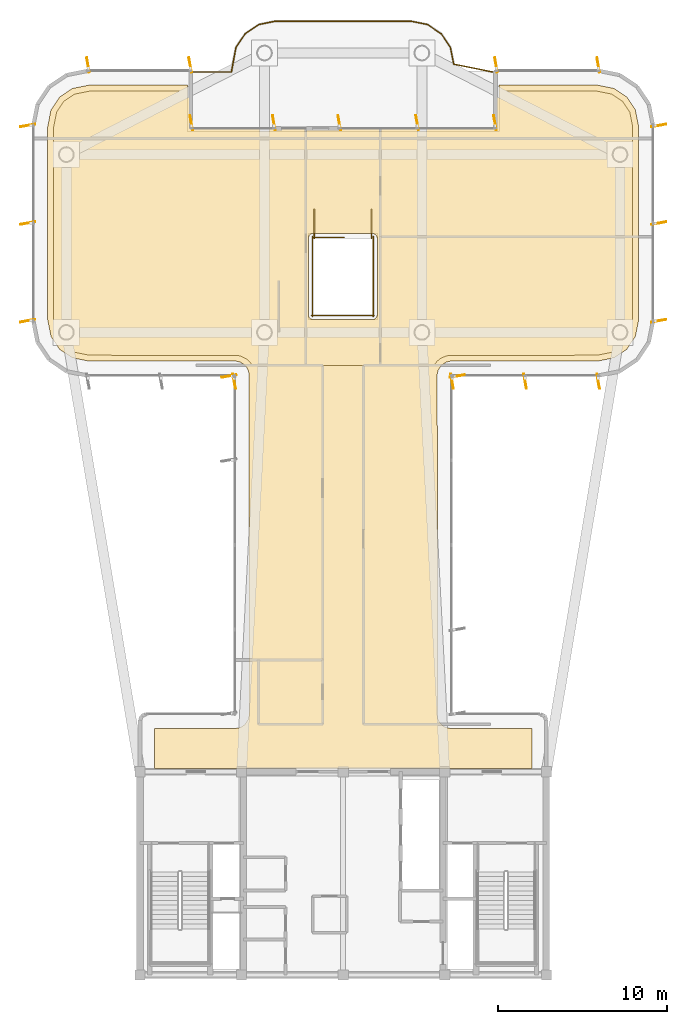
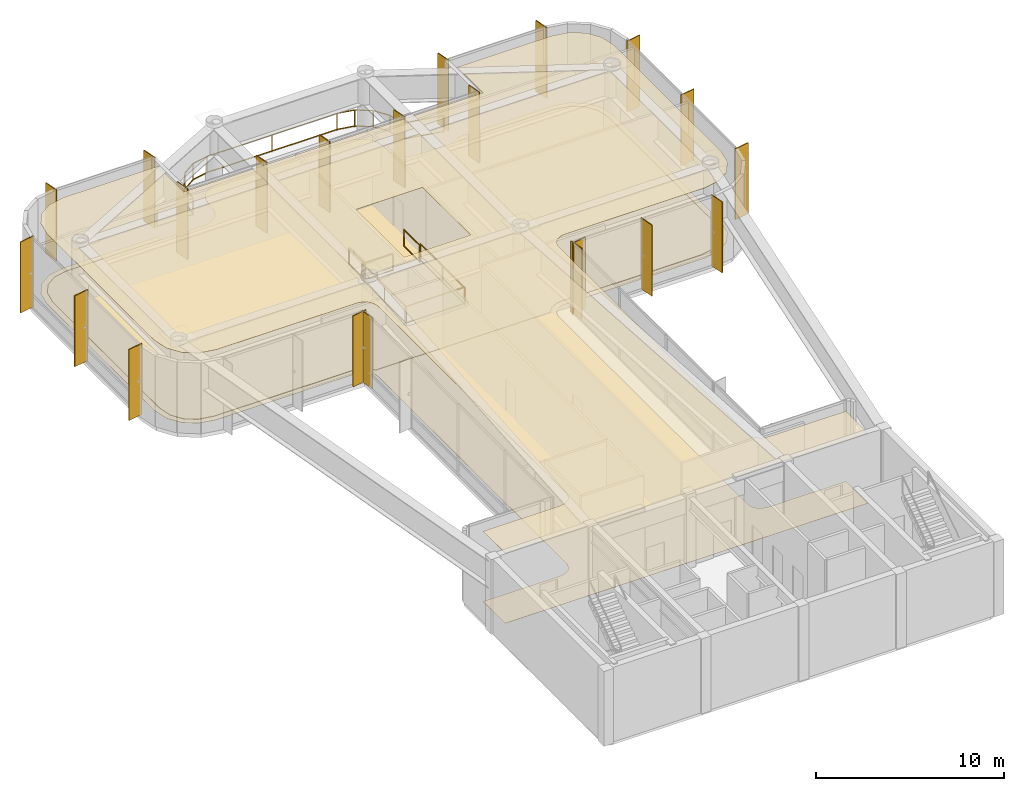
# One storey, part 13 of 13: 21 shading devices, 7 railings, 3 coverings.
"""IFC4 building model written with IfcOpenShell, lengths in metres."""

from ifc_helpers import new_model, si_unit, direction, frame, origin, origin_2d, place, context, subcontext, project, spatial, polyline, rectangle, outline, extrude, source, transform, mapped, material, layer, layer_set, material_profile, profile_set, type_object, element, save


model = new_model("IFC4")

# Units and contexts
model_context = context("Model", 3, precision=1e-05, world=origin(), true_north=direction((0.0, 1.0)))
body_context = subcontext(model_context, "Body", "Model", "MODEL_VIEW")
ifc_project = project(units=[si_unit("LENGTHUNIT", "METRE"), si_unit("AREAUNIT", "SQUARE_METRE"), si_unit("VOLUMEUNIT", "CUBIC_METRE"), si_unit("PLANEANGLEUNIT", "RADIAN"), si_unit("MASSUNIT", "GRAM", prefix="KILO")], contexts=[model_context])

# Site, building, storey
site_placement = place(None, origin())
site = spatial("IfcSite", under=ifc_project, at=site_placement, CompositionType="ELEMENT")
building_placement = place(site_placement, origin())
building = spatial("IfcBuilding", under=site, at=building_placement, Name="Brelvock Crest Care Tower", CompositionType="ELEMENT")
storey_placement = place(building_placement, frame((0.0, 0.0, 291.06005859375)))
storey = spatial("IfcBuildingStorey", under=building, at=storey_placement, Name="L74", CompositionType="ELEMENT", Elevation=291.06005859375)

# Coverings
ifc_material_1 = material(Name="Mineral Fibre Acoustic Ceiling Tile", Category="gypsum")
ifc_layer_1 = layer(ifc_material_1, 0.02490234375, Name="COV-CLG1")
ifc_layer_set_1 = layer_set([ifc_layer_1], Name="Mineral Fibre Acoustic Ceiling Tile")
covering_type_1 = type_object("IfcCoveringType", Name="COV-CLG1", PredefinedType="CEILING", material=ifc_layer_set_1)
covering_1_placement = place(storey_placement, frame((0.0, 0.0, 4.554931640625)))
element("IfcCovering", 1, at=covering_1_placement, inside=storey, type_object=covering_type_1, Name="L74 Acoustic Suspended Ceiling 1", PredefinedType="CEILING", context=body_context, shape_type="SweptSolid", body=[
    extrude(outline(polyline([(24.85009765625, 20.550048828125), (24.85009765625, 18.199951171875), (47.14990234375, 18.199951171875), (47.14990234375, 20.550048828125), (42.316650390625, 20.55419921875), (41.999267578125, 20.650390625), (41.799072265625, 20.799072265625), (41.650390625, 20.999267578125), (41.56640625, 21.234130859375), (41.55419921875, 41.4833984375), (41.61474609375, 41.725341796875), (41.799072265625, 42.0009765625), (42.07470703125, 42.185302734375), (42.316650390625, 42.245849609375), (51.016357421875, 42.25), (51.992919921875, 42.4443359375), (52.75, 42.9501953125), (53.255615234375, 43.70703125), (53.449951171875, 44.68359375), (53.449951171875, 56.1162109375), (53.255615234375, 57.093017578125), (52.75, 57.849853515625), (51.992919921875, 58.355712890625), (51.016357421875, 58.550048828125), (45.199951171875, 58.550048828125), (45.199951171875, 55.800048828125), (26.800048828125, 55.800048828125), (26.800048828125, 58.550048828125), (20.983642578125, 58.550048828125), (20.007080078125, 58.355712890625), (19.25, 57.849853515625), (18.744384765625, 57.093017578125), (18.550048828125, 56.1162109375), (18.550048828125, 44.68359375), (18.744384765625, 43.70703125), (19.25, 42.9501953125), (20.007080078125, 42.4443359375), (20.983642578125, 42.25), (29.683349609375, 42.245849609375), (29.92529296875, 42.185302734375), (30.13916015625, 42.05712890625), (30.306640625, 41.872314453125), (30.413330078125, 41.646728515625), (30.449951171875, 41.39990234375), (30.449951171875, 21.39990234375), (30.38525390625, 21.07470703125), (30.200927734375, 20.799072265625), (29.92529296875, 20.61474609375), (29.60009765625, 20.550048828125), (24.85009765625, 20.550048828125)]), holes=[polyline([(38.02001953125, 44.699951171875), (38.02001953125, 49.800048828125), (33.93994140625, 49.800048828125), (33.93994140625, 44.699951171875), (38.02001953125, 44.699951171875)])]), origin(), (0.0, 0.0, 1.0), 0.02490234375),
])
ifc_material_2 = material(Name="Slip-Resistant Acoustic Vinyl Flooring", Category="finish")
ifc_layer_2 = layer(ifc_material_2, 0.014892578125, Name="COV-FLR1")
ifc_layer_set_2 = layer_set([ifc_layer_2], Name="Slip-Resistant Acoustic Vinyl Flooring")
covering_type_2 = type_object("IfcCoveringType", Name="COV-FLR1", PredefinedType="FLOORING", material=ifc_layer_set_2)
covering_2_placement = place(storey_placement, origin())
element("IfcCovering", 2, at=covering_2_placement, inside=storey, type_object=covering_type_2, Name="L74 Slip-Resistant Acoustic Flooring 1", PredefinedType="FLOORING", context=body_context, shape_type="SweptSolid", body=[
    extrude(outline(polyline([(24.85009765625, 20.550048828125), (24.85009765625, 18.199951171875), (47.14990234375, 18.199951171875), (47.14990234375, 20.550048828125), (42.316650390625, 20.55419921875), (41.999267578125, 20.650390625), (41.799072265625, 20.799072265625), (41.650390625, 20.999267578125), (41.56640625, 21.234130859375), (41.55419921875, 41.4833984375), (41.61474609375, 41.725341796875), (41.799072265625, 42.0009765625), (42.07470703125, 42.185302734375), (42.316650390625, 42.245849609375), (51.016357421875, 42.25), (51.992919921875, 42.4443359375), (52.75, 42.9501953125), (53.255615234375, 43.70703125), (53.449951171875, 44.68359375), (53.449951171875, 56.1162109375), (53.255615234375, 57.093017578125), (52.75, 57.849853515625), (51.992919921875, 58.355712890625), (51.016357421875, 58.550048828125), (45.199951171875, 58.550048828125), (45.199951171875, 55.800048828125), (26.800048828125, 55.800048828125), (26.800048828125, 58.550048828125), (20.983642578125, 58.550048828125), (20.007080078125, 58.355712890625), (19.25, 57.849853515625), (18.744384765625, 57.093017578125), (18.550048828125, 56.1162109375), (18.550048828125, 44.68359375), (18.744384765625, 43.70703125), (19.25, 42.9501953125), (20.007080078125, 42.4443359375), (20.983642578125, 42.25), (29.683349609375, 42.245849609375), (29.92529296875, 42.185302734375), (30.13916015625, 42.05712890625), (30.306640625, 41.872314453125), (30.413330078125, 41.646728515625), (30.449951171875, 41.39990234375), (30.449951171875, 21.39990234375), (30.38525390625, 21.07470703125), (30.200927734375, 20.799072265625), (29.92529296875, 20.61474609375), (29.60009765625, 20.550048828125), (24.85009765625, 20.550048828125)]), holes=[polyline([(38.02001953125, 44.699951171875), (38.02001953125, 49.800048828125), (33.93994140625, 49.800048828125), (33.93994140625, 44.699951171875), (38.02001953125, 44.699951171875)])]), origin(), (0.0, 0.0, 1.0), 0.014892578125),
])
ifc_material_3 = material(Name="Elastomeric Waterproofing Membrane", Category="membrane")
ifc_layer_3 = layer(ifc_material_3, 0.011962890625, Name="COV-RFM1")
ifc_layer_set_3 = layer_set([ifc_layer_3], Name="Elastomeric Waterproofing Membrane")
covering_type_3 = type_object("IfcCoveringType", Name="COV-RFM1", PredefinedType="MEMBRANE", material=ifc_layer_set_3)
covering_3_placement = place(storey_placement, frame((0.0, 0.0, 0.015869140625)))
element("IfcCovering", 3, at=covering_3_placement, inside=storey, type_object=covering_type_3, Name="L74 Waterproofing Membrane 1", PredefinedType="MEMBRANE", context=body_context, shape_type="SweptSolid", body=[
    extrude(outline(polyline([(41.3623046875, 42.0), (41.551513671875, 42.24853515625), (41.7333984375, 42.397705078125), (42.0517578125, 42.54833984375), (42.282470703125, 42.59423828125), (50.981689453125, 42.60009765625), (51.8564453125, 42.77392578125), (52.49755859375, 43.202392578125), (52.926025390625, 43.843505859375), (53.10009765625, 44.71826171875), (53.10009765625, 56.081787109375), (52.926025390625, 56.956298828125), (52.49755859375, 57.59765625), (51.8564453125, 58.02587890625), (50.981689453125, 58.199951171875), (42.60009765625, 58.199951171875), (42.251708984375, 58.251708984375), (42.0341796875, 58.341796875), (41.838623046875, 58.472412109375), (41.67236328125, 58.638671875), (41.541748046875, 58.834228515625), (41.423095703125, 59.166015625), (41.39990234375, 59.681884765625), (41.271728515625, 60.326904296875), (40.973388671875, 60.773193359375), (40.52685546875, 61.07177734375), (39.8818359375, 61.199951171875), (32.1181640625, 61.199951171875), (31.47314453125, 61.07177734375), (31.026611328125, 60.773193359375), (30.728271484375, 60.326904296875), (30.60009765625, 59.681884765625), (30.576904296875, 59.166015625), (30.458251953125, 58.834228515625), (30.32763671875, 58.638671875), (30.161376953125, 58.472412109375), (29.9658203125, 58.341796875), (29.748291015625, 58.251708984375), (29.39990234375, 58.199951171875), (21.018310546875, 58.199951171875), (20.1435546875, 58.02587890625), (19.50244140625, 57.59765625), (19.073974609375, 56.956298828125), (18.89990234375, 56.081787109375), (18.89990234375, 44.71826171875), (19.073974609375, 43.843505859375), (19.50244140625, 43.202392578125), (20.1435546875, 42.77392578125), (21.018310546875, 42.60009765625), (29.717529296875, 42.59423828125), (29.9482421875, 42.54833984375), (30.2666015625, 42.397705078125), (30.448486328125, 42.24853515625), (30.6376953125, 42.0), (41.3623046875, 42.0)]), holes=[polyline([(37.778564453125, 49.794189453125), (34.239990234375, 49.800048828125), (34.0986328125, 49.7646484375), (33.990478515625, 49.666748046875), (33.93994140625, 49.5), (33.93994140625, 45.0), (33.975341796875, 44.858642578125), (34.0732421875, 44.75048828125), (34.239990234375, 44.699951171875), (37.719970703125, 44.699951171875), (37.861328125, 44.7353515625), (37.969482421875, 44.833251953125), (38.02001953125, 45.0), (38.02001953125, 49.5), (37.951904296875, 49.690185546875), (37.778564453125, 49.794189453125)])]), origin(), (0.0, 0.0, 1.0), 0.011962890625),
])

# Railings
ifc_material_4 = material(Name="Dark Glass Double Glazed Low-E", Category="glass")
ifc_layer_4 = layer(ifc_material_4, 0.06005859375, Name="RL-BAL1")
ifc_layer_set_4 = layer_set([ifc_layer_4], Name="Dark Glass Double Glazed Low-E")
railing_type_1 = type_object("IfcRailingType", Name="RL-BAL1", PredefinedType="BALUSTRADE", material=ifc_layer_set_4)
railing_1_placement = place(storey_placement, frame((27.179931640625, 59.330078125, 0.00390625)))
element("IfcRailing", 4, at=railing_1_placement, inside=storey, type_object=railing_type_1, Name="L74 Safety Balustrade SLB-LOOKOUT-L74-1", PredefinedType="BALUSTRADE", context=body_context, shape_type="SweptSolid", body=[
    extrude(rectangle(XDim=0.048095703125, YDim=0.048095703125, at=origin_2d()), frame((0.001953125, 0.0, 1.09619140625), z_axis=(1.0, 0.0, 0.0), x_axis=(0.0, 1.0, 0.0)), (0.0, 0.0, 1.0), 2.216064453125),
    extrude(rectangle(XDim=0.048095703125, YDim=0.048095703125, at=origin_2d()), frame((0.001953125, 0.0, 0.054931640625), z_axis=(1.0, 0.0, 0.0), x_axis=(0.0, 1.0, 0.0)), (0.0, 0.0, 1.0), 2.216064453125),
    extrude(rectangle(XDim=0.048095703125, YDim=0.048095703125, at=origin_2d()), frame((2.22021484375, 0.001953125, 1.09619140625), z_axis=(0.180575669775, 0.983561094943, 0.0), x_axis=(-0.983561094943, 0.180575669775, 0.0)), (0.0, 0.0, 1.0), 1.45751953125),
    extrude(rectangle(XDim=0.048095703125, YDim=0.048095703125, at=origin_2d()), frame((2.22021484375, 0.001953125, 0.054931640625), z_axis=(0.180575669775, 0.983561094943, 0.0), x_axis=(-0.983561094943, 0.180575669775, 0.0)), (0.0, 0.0, 1.0), 1.45751953125),
    extrude(rectangle(XDim=0.048095703125, YDim=0.048095703125, at=origin_2d()), frame((2.485107421875, 1.439208984375, 1.09619140625), z_axis=(0.555556508152, 0.831478782802, 0.0), x_axis=(-0.831478782802, 0.555556508152, 0.0)), (0.0, 0.0, 1.0), 0.982666015625),
    extrude(rectangle(XDim=0.048095703125, YDim=0.048095703125, at=origin_2d()), frame((2.485107421875, 1.439208984375, 0.054931640625), z_axis=(0.555556508152, 0.831478782802, 0.0), x_axis=(-0.831478782802, 0.555556508152, 0.0)), (0.0, 0.0, 1.0), 0.982666015625),
    extrude(rectangle(XDim=0.048095703125, YDim=0.048095703125, at=origin_2d()), frame((3.03369140625, 2.259033203125, 1.09619140625), z_axis=(0.831364469058, 0.555727558781, 0.0), x_axis=(-0.555727558781, 0.831364469058, 0.0)), (0.0, 0.0, 1.0), 0.982666015625),
    extrude(rectangle(XDim=0.048095703125, YDim=0.048095703125, at=origin_2d()), frame((3.03369140625, 2.259033203125, 0.054931640625), z_axis=(0.831364469058, 0.555727558781, 0.0), x_axis=(-0.555727558781, 0.831364469058, 0.0)), (0.0, 0.0, 1.0), 0.982666015625),
    extrude(rectangle(XDim=0.048095703125, YDim=0.048095703125, at=origin_2d()), frame((3.854248046875, 2.806640625, 1.09619140625), z_axis=(0.980788014931, 0.195076574112, 0.0), x_axis=(-0.195076574112, 0.980788014931, 0.0)), (0.0, 0.0, 1.0), 0.98974609375),
    extrude(rectangle(XDim=0.048095703125, YDim=0.048095703125, at=origin_2d()), frame((3.854248046875, 2.806640625, 0.054931640625), z_axis=(0.980788014931, 0.195076574112, 0.0), x_axis=(-0.195076574112, 0.980788014931, 0.0)), (0.0, 0.0, 1.0), 0.98974609375),
    extrude(rectangle(XDim=0.048095703125, YDim=0.048095703125, at=origin_2d()), frame((4.828857421875, 3.0, 1.09619140625), z_axis=(1.0, 0.0, 0.0), x_axis=(0.0, 1.0, 0.0)), (0.0, 0.0, 1.0), 7.982421875),
    extrude(rectangle(XDim=0.048095703125, YDim=0.048095703125, at=origin_2d()), frame((4.828857421875, 3.0, 0.054931640625), z_axis=(1.0, 0.0, 0.0), x_axis=(0.0, 1.0, 0.0)), (0.0, 0.0, 1.0), 7.982421875),
    extrude(rectangle(XDim=0.048095703125, YDim=0.048095703125, at=origin_2d()), frame((12.815185546875, 2.99951171875, 1.09619140625), z_axis=(0.980788014931, -0.195076574112, 0.0), x_axis=(0.195076574112, 0.980788014931, 0.0)), (0.0, 0.0, 1.0), 0.98974609375),
    extrude(rectangle(XDim=0.048095703125, YDim=0.048095703125, at=origin_2d()), frame((12.815185546875, 2.99951171875, 0.054931640625), z_axis=(0.980788014931, -0.195076574112, 0.0), x_axis=(0.195076574112, 0.980788014931, 0.0)), (0.0, 0.0, 1.0), 0.98974609375),
    extrude(rectangle(XDim=0.048095703125, YDim=0.048095703125, at=origin_2d()), frame((13.78955078125, 2.804931640625, 1.09619140625), z_axis=(0.831364469058, -0.555727558781, 0.0), x_axis=(0.555727558781, 0.831364469058, 0.0)), (0.0, 0.0, 1.0), 0.982666015625),
    extrude(rectangle(XDim=0.048095703125, YDim=0.048095703125, at=origin_2d()), frame((13.78955078125, 2.804931640625, 0.054931640625), z_axis=(0.831364469058, -0.555727558781, 0.0), x_axis=(0.555727558781, 0.831364469058, 0.0)), (0.0, 0.0, 1.0), 0.982666015625),
    extrude(rectangle(XDim=0.048095703125, YDim=0.048095703125, at=origin_2d()), frame((14.609375, 2.256103515625, 1.09619140625), z_axis=(0.555556508152, -0.831478782802, 0.0), x_axis=(0.831478782802, 0.555556508152, 0.0)), (0.0, 0.0, 1.0), 0.982666015625),
    extrude(rectangle(XDim=0.048095703125, YDim=0.048095703125, at=origin_2d()), frame((14.609375, 2.256103515625, 0.054931640625), z_axis=(0.555556508152, -0.831478782802, 0.0), x_axis=(0.831478782802, 0.555556508152, 0.0)), (0.0, 0.0, 1.0), 0.982666015625),
    extrude(rectangle(XDim=0.048095703125, YDim=0.048095703125, at=origin_2d()), frame((15.15673828125, 1.435546875, 1.09619140625), z_axis=(0.195123592472, -0.980778661911, 0.0), x_axis=(0.980778661911, 0.195123592472, 0.0)), (0.0, 0.0, 1.0), 0.989501953125),
    extrude(rectangle(XDim=0.048095703125, YDim=0.048095703125, at=origin_2d()), frame((15.15673828125, 1.435546875, 0.054931640625), z_axis=(0.195123592472, -0.980778661911, 0.0), x_axis=(0.980778661911, 0.195123592472, 0.0)), (0.0, 0.0, 1.0), 0.989501953125),
    extrude(rectangle(XDim=0.048095703125, YDim=0.048095703125, at=origin_2d()), frame((15.35205078125, 0.462646484375, 1.09619140625), z_axis=(0.980156409437, -0.198225661909, 0.0), x_axis=(0.198225661909, 0.980156409437, 0.0)), (0.0, 0.0, 1.0), 2.33251953125),
    extrude(rectangle(XDim=0.048095703125, YDim=0.048095703125, at=origin_2d()), frame((15.35205078125, 0.462646484375, 0.054931640625), z_axis=(0.980156409437, -0.198225661909, 0.0), x_axis=(0.198225661909, 0.980156409437, 0.0)), (0.0, 0.0, 1.0), 2.33251953125),
    extrude(rectangle(XDim=0.0419921875, YDim=0.0419921875, at=origin_2d()), origin(), (0.0, 0.0, 1.0), 1.070068359375),
    extrude(rectangle(XDim=0.0419921875, YDim=0.0419921875, at=origin_2d()), frame((2.219970703125, 0.0, 0.0)), (0.0, 0.0, 1.0), 1.070068359375),
    extrude(rectangle(XDim=0.0419921875, YDim=0.0419921875, at=origin_2d()), frame((2.48388671875, 1.4375, 0.0)), (0.0, 0.0, 1.0), 1.070068359375),
    extrude(rectangle(XDim=0.0419921875, YDim=0.0419921875, at=origin_2d()), frame((3.031982421875, 2.2578125, 0.0)), (0.0, 0.0, 1.0), 1.070068359375),
    extrude(rectangle(XDim=0.0419921875, YDim=0.0419921875, at=origin_2d()), frame((3.852294921875, 2.80615234375, 0.0)), (0.0, 0.0, 1.0), 1.070068359375),
    extrude(rectangle(XDim=0.0419921875, YDim=0.0419921875, at=origin_2d()), frame((4.826904296875, 3.0, 0.0)), (0.0, 0.0, 1.0), 1.070068359375),
    extrude(rectangle(XDim=0.0419921875, YDim=0.0419921875, at=origin_2d()), frame((8.820068359375, 3.0, 0.0)), (0.0, 0.0, 1.0), 1.070068359375),
    extrude(rectangle(XDim=0.0419921875, YDim=0.0419921875, at=origin_2d()), frame((12.813232421875, 3.0, 0.0)), (0.0, 0.0, 1.0), 1.070068359375),
    extrude(rectangle(XDim=0.0419921875, YDim=0.0419921875, at=origin_2d()), frame((13.787841796875, 2.80615234375, 0.0)), (0.0, 0.0, 1.0), 1.070068359375),
    extrude(rectangle(XDim=0.0419921875, YDim=0.0419921875, at=origin_2d()), frame((14.608154296875, 2.2578125, 0.0)), (0.0, 0.0, 1.0), 1.070068359375),
    extrude(rectangle(XDim=0.0419921875, YDim=0.0419921875, at=origin_2d()), frame((15.15625, 1.4375, 0.0)), (0.0, 0.0, 1.0), 1.070068359375),
    extrude(rectangle(XDim=0.0419921875, YDim=0.0419921875, at=origin_2d()), frame((15.35009765625, 0.463134765625, 0.0)), (0.0, 0.0, 1.0), 1.070068359375),
    extrude(rectangle(XDim=0.0419921875, YDim=0.0419921875, at=origin_2d()), frame((17.64013671875, 0.0, 0.0)), (0.0, 0.0, 1.0), 1.070068359375),
])
ifc_material_5 = material(Name="Steel Grade 350", Category="steel")
ifc_layer_5 = layer(ifc_material_5, 0.050048828125, Name="RL-STG1")
ifc_layer_set_5 = layer_set([ifc_layer_5], Name="Steel Grade 350")
railing_type_2 = type_object("IfcRailingType", Name="RL-STG1", PredefinedType="GUARDRAIL", material=ifc_layer_set_5)
railing_2_placement = place(storey_placement, frame((34.239990234375, 49.550048828125, 0.0)))
element("IfcRailing", 5, at=railing_2_placement, inside=storey, type_object=railing_type_2, Name="L74 ST-6 top well guard 1", PredefinedType="GUARDRAIL", context=body_context, shape_type="SweptSolid", body=[
    extrude(rectangle(XDim=0.048095703125, YDim=0.048095703125, at=origin_2d()), frame((0.001953125, 0.0, 1.11572265625), z_axis=(1.0, 0.0, 0.0), x_axis=(0.0, 1.0, 0.0)), (0.0, 0.0, 1.0), 1.796142578125),
    extrude(rectangle(XDim=0.048095703125, YDim=0.048095703125, at=origin_2d()), frame((0.001953125, 0.0, 0.054931640625), z_axis=(1.0, 0.0, 0.0), x_axis=(0.0, 1.0, 0.0)), (0.0, 0.0, 1.0), 1.796142578125),
    extrude(rectangle(XDim=0.0419921875, YDim=0.0419921875, at=origin_2d()), origin(), (0.0, 0.0, 1.0), 1.08984375),
    extrude(rectangle(XDim=0.0419921875, YDim=0.0419921875, at=origin_2d()), frame((1.800048828125, 0.0, 0.0)), (0.0, 0.0, 1.0), 1.08984375),
])
for number, where, name in (
    (6, (34.18994140625, 49.60009765625, 0.0), "L74 ST-6 top well guard 2"),
    (7, (37.77001953125, 49.60009765625, 0.0), "L74 ST-6 top well guard 3"),
):
    element("IfcRailing", number, at=place(storey_placement, frame(where)), inside=storey, type_object=railing_type_2, Name=name, PredefinedType="GUARDRAIL", context=body_context, shape_type="SweptSolid", body=[
        extrude(rectangle(XDim=0.048095703125, YDim=0.048095703125, at=origin_2d()), frame((0.0, -0.001953125, 1.11572265625), z_axis=(0.0, -1.0, 0.0), x_axis=(1.0, 0.0, 0.0)), (0.0, 0.0, 1.0), 4.6962890625),
        extrude(rectangle(XDim=0.048095703125, YDim=0.048095703125, at=origin_2d()), frame((0.0, -0.001953125, 0.054931640625), z_axis=(0.0, -1.0, 0.0), x_axis=(1.0, 0.0, 0.0)), (0.0, 0.0, 1.0), 4.6962890625),
        extrude(rectangle(XDim=0.0419921875, YDim=0.0419921875, at=origin_2d()), origin(), (0.0, 0.0, 1.0), 1.08984375),
        extrude(rectangle(XDim=0.0419921875, YDim=0.0419921875, at=origin_2d()), frame((0.0, -2.35009765625, 0.0)), (0.0, 0.0, 1.0), 1.08984375),
        extrude(rectangle(XDim=0.0419921875, YDim=0.0419921875, at=origin_2d()), frame((0.0, -4.7001953125, 0.0)), (0.0, 0.0, 1.0), 1.08984375),
    ])
railing_3_placement = place(storey_placement, frame((34.139892578125, 44.949951171875, 0.0)))
element("IfcRailing", 8, at=railing_3_placement, inside=storey, type_object=railing_type_2, Name="L74 ST-6 top well guard 4", PredefinedType="GUARDRAIL", context=body_context, shape_type="SweptSolid", body=[
    extrude(rectangle(XDim=0.048095703125, YDim=0.048095703125, at=origin_2d()), frame((0.001953125, 0.0, 1.11572265625), z_axis=(1.0, 0.0, 0.0), x_axis=(0.0, 1.0, 0.0)), (0.0, 0.0, 1.0), 3.67626953125),
    extrude(rectangle(XDim=0.048095703125, YDim=0.048095703125, at=origin_2d()), frame((0.001953125, 0.0, 0.054931640625), z_axis=(1.0, 0.0, 0.0), x_axis=(0.0, 1.0, 0.0)), (0.0, 0.0, 1.0), 3.67626953125),
    extrude(rectangle(XDim=0.0419921875, YDim=0.0419921875, at=origin_2d()), origin(), (0.0, 0.0, 1.0), 1.08984375),
    extrude(rectangle(XDim=0.0419921875, YDim=0.0419921875, at=origin_2d()), frame((3.68017578125, 0.0, 0.0)), (0.0, 0.0, 1.0), 1.08984375),
])
for number, where, name in (
    (9, (34.2900390625, 51.199951171875, 0.0), "L74 ST-6 top well guard 5"),
    (10, (37.669921875, 51.199951171875, 0.0), "L74 ST-6 top well guard 6"),
):
    element("IfcRailing", number, at=place(storey_placement, frame(where)), inside=storey, type_object=railing_type_2, Name=name, PredefinedType="GUARDRAIL", context=body_context, shape_type="SweptSolid", body=[
        extrude(rectangle(XDim=0.048095703125, YDim=0.048095703125, at=origin_2d()), frame((0.0, -0.001953125, 1.11572265625), z_axis=(0.0, -1.0, 0.0), x_axis=(1.0, 0.0, 0.0)), (0.0, 0.0, 1.0), 1.696044921875),
        extrude(rectangle(XDim=0.048095703125, YDim=0.048095703125, at=origin_2d()), frame((0.0, -0.001953125, 0.054931640625), z_axis=(0.0, -1.0, 0.0), x_axis=(1.0, 0.0, 0.0)), (0.0, 0.0, 1.0), 1.696044921875),
        extrude(rectangle(XDim=0.0419921875, YDim=0.0419921875, at=origin_2d()), origin(), (0.0, 0.0, 1.0), 1.08984375),
        extrude(rectangle(XDim=0.0419921875, YDim=0.0419921875, at=origin_2d()), frame((0.0, -1.699951171875, 0.0)), (0.0, 0.0, 1.0), 1.08984375),
    ])

# Shading devices
ifc_material_6 = material(Name="Aluminium 6063-T6", Category="aluminium")
ifc_material_profile = material_profile(ifc_material_6, rectangle(XDim=0.054931640625, YDim=0.89990234375, at=origin_2d()), Name="FIN55x900")
ifc_profile_set = profile_set([ifc_material_profile], Name="Aluminium 6063-T6")
shading_device_type = type_object("IfcShadingDeviceType", Name="SHD-FIN1", PredefinedType="USERDEFINED", material=ifc_profile_set)
shared_shape = source(origin(), body_context, "Body", "SweptSolid", [
    extrude(rectangle(XDim=0.054931640625, YDim=0.89990234375, at=origin_2d()), origin(), (0.0, 0.0, 1.0), 4.60986328125),
])
for number, where, z_axis, x_axis, name in (
    (11, (54.639892578125, 56.16748046875, 0.0), (0.0, 0.0, 1.0), (0.173648177667, -0.984807753012, 0.0), "L74 Vertical Sunshade Fin E04-01"),
    (12, (54.639892578125, 50.39990234375, 0.0), (0.0, 0.0, 1.0), (0.173648177667, -0.984807753012, 0.0), "L74 Vertical Sunshade Fin E04-02"),
    (13, (54.639892578125, 44.632568359375, 0.0), (0.0, 0.0, 1.0), (0.173648177667, -0.984807753012, 0.0), "L74 Vertical Sunshade Fin E04-03"),
    (14, (51.0673828125, 41.06005859375, 0.0), (0.0, 0.0, 1.0), (-0.984807753012, -0.173648177667, 0.0), "L74 Vertical Sunshade Fin E09-01"),
    (15, (46.75, 41.06005859375, 0.0), (0.0, 0.0, 1.0), (-0.984807753012, -0.173648177667, 0.0), "L74 Vertical Sunshade Fin E09-02"),
    (16, (42.4326171875, 41.06005859375, 0.0), (0.0, 0.0, 1.0), (-0.984807753012, -0.173648177667, 0.0), "L74 Vertical Sunshade Fin E09-03"),
    (17, (42.739990234375, 41.367431640625, 0.0), (0.0, 0.0, 1.0), (0.173648177667, -0.984807753012, 0.0), "L74 Vertical Sunshade Fin E10-01"),
    (18, (29.260009765625, 41.367431640625, 0.0), (0.0, 0.0, 1.0), (-0.173648177667, 0.984807753012, 0.0), "L74 Vertical Sunshade Fin E24-05"),
    (19, (29.5673828125, 41.06005859375, 0.0), (0.0, 0.0, 1.0), (-0.984807753012, -0.173648177667, 0.0), "L74 Vertical Sunshade Fin E25-01"),
    (20, (17.360107421875, 44.632568359375, 0.0), (0.0, 0.0, 1.0), (-0.173648177667, 0.984807753012, 0.0), "L74 Vertical Sunshade Fin E30-01"),
    (21, (17.360107421875, 50.39990234375, 0.0), (0.0, 0.0, 1.0), (-0.173648177667, 0.984807753012, 0.0), "L74 Vertical Sunshade Fin E30-02"),
    (22, (17.360107421875, 56.16748046875, 0.0), (0.0, 0.0, 1.0), (-0.173648177667, 0.984807753012, 0.0), "L74 Vertical Sunshade Fin E30-03"),
    (23, (20.9326171875, 59.739990234375, 0.0), (0.0, 0.0, 1.0), (0.984807753012, 0.173648177667, 0.0), "L74 Vertical Sunshade Fin E35-01"),
    (24, (26.967529296875, 59.739990234375, 0.0), (0.0, 0.0, 1.0), (0.984807753012, 0.173648177667, 0.0), "L74 Vertical Sunshade Fin E35-02"),
    (25, (27.032470703125, 56.340087890625, 0.0), (0.0, 0.0, 1.0), (0.984807753012, 0.173648177667, 0.0), "L74 Vertical Sunshade Fin E37A-01"),
    (26, (31.907470703125, 56.340087890625, 0.0), (0.0, 0.0, 1.0), (0.984807753012, 0.173648177667, 0.0), "L74 Vertical Sunshade Fin E37A-02"),
    (27, (35.7724609375, 56.340087890625, 0.0), (0.0, 0.0, 1.0), (0.984807753012, 0.173648177667, 0.0), "L74 Vertical Sunshade Fin E37B-01"),
    (28, (40.3701171875, 56.340087890625, 0.0), (0.0, 0.0, 1.0), (0.984807753012, 0.173648177667, 0.0), "L74 Vertical Sunshade Fin E37B-02"),
    (29, (44.967529296875, 56.340087890625, 0.0), (0.0, 0.0, 1.0), (0.984807753012, 0.173648177667, 0.0), "L74 Vertical Sunshade Fin E37B-03"),
    (30, (45.032470703125, 59.739990234375, 0.0), (0.0, 0.0, 1.0), (0.984807753012, 0.173648177667, 0.0), "L74 Vertical Sunshade Fin E39-01"),
    (31, (51.0673828125, 59.739990234375, 0.0), (0.0, 0.0, 1.0), (0.984807753012, 0.173648177667, 0.0), "L74 Vertical Sunshade Fin E39-02"),
):
    element("IfcShadingDevice", number, at=place(storey_placement, frame(where, z_axis=z_axis, x_axis=x_axis)), inside=storey, type_object=shading_device_type, Name=name, ObjectType="FIN", PredefinedType="USERDEFINED", context=body_context, shape_type="MappedRepresentation", body=[
        mapped(shared_shape, transform((0.0, 0.0, 0.0), x_axis=(1.0, 0.0, 0.0), y_axis=(0.0, 1.0, 0.0), z_axis=(0.0, 0.0, 1.0), scale=1.0)),
    ])

save(model, "model.ifc")
